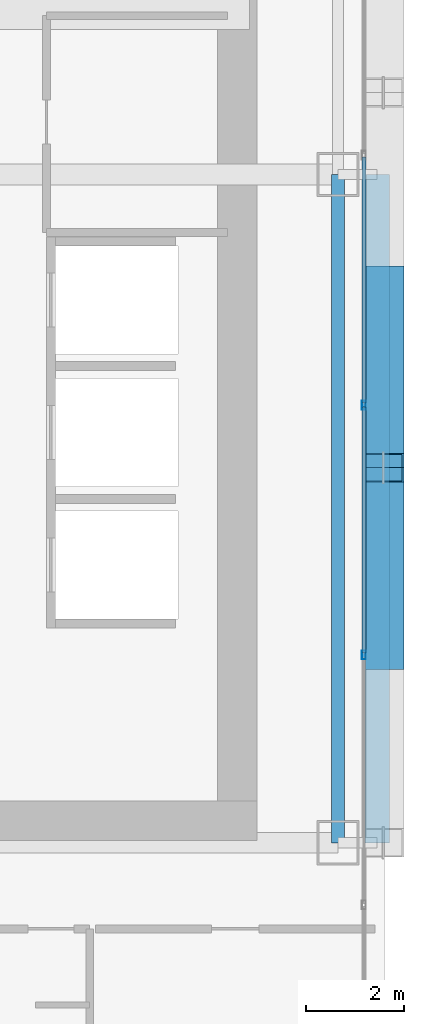
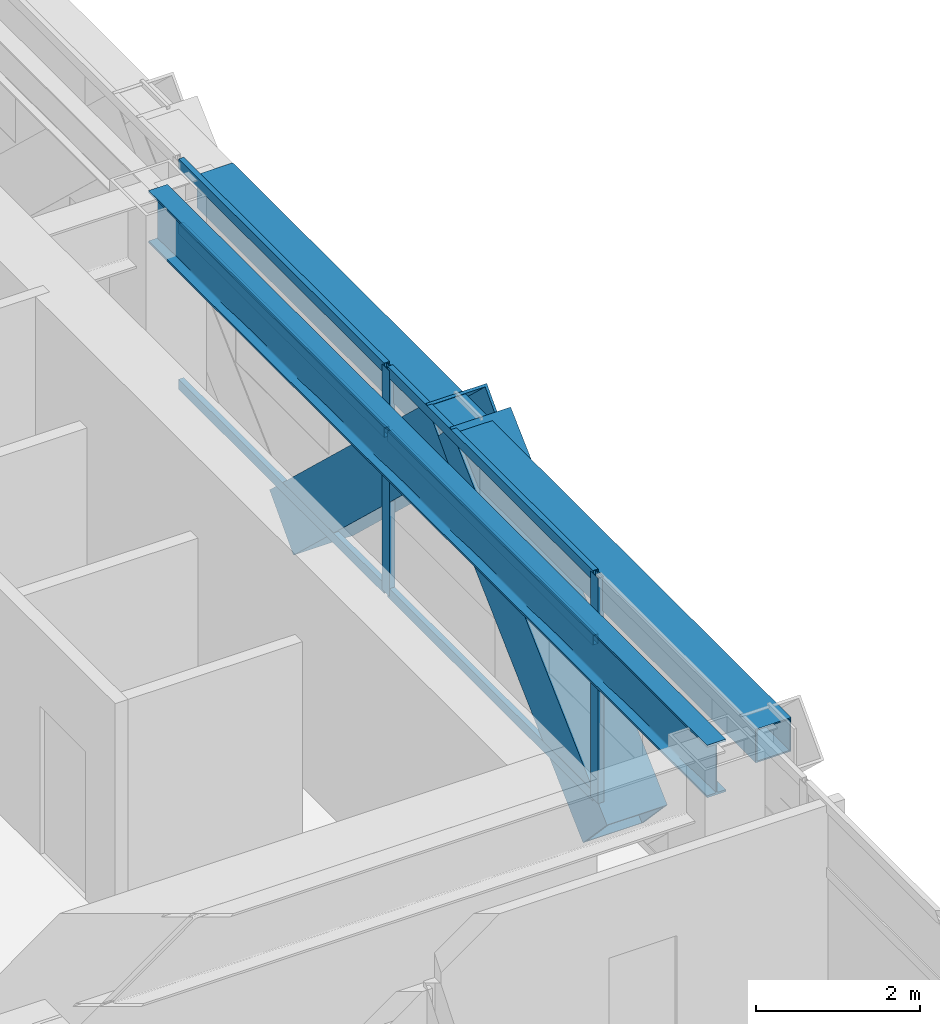
# One storey, part 13 of 38: 10 members, 2 beams, 1 element without a shape of its own.
"""IFC4 building model written with IfcOpenShell, lengths in metres."""

from ifc_helpers import new_model, si_unit, direction, frame, origin, origin_2d, place, context, subcontext, project, spatial, hollow_rectangle, i_section, extrude, source, transform, mapped, material, layer, layer_set, material_profile, profile_set, type_object, element, aggregate, save


model = new_model("IFC4")

# Units and contexts
model_context = context("Model", 3, precision=1e-05, world=origin(), true_north=direction((0.0, 1.0)))
body_context = subcontext(model_context, "Body", "Model", "MODEL_VIEW")
ifc_project = project(units=[si_unit("LENGTHUNIT", "METRE"), si_unit("AREAUNIT", "SQUARE_METRE"), si_unit("VOLUMEUNIT", "CUBIC_METRE"), si_unit("PLANEANGLEUNIT", "RADIAN"), si_unit("MASSUNIT", "GRAM", prefix="KILO")], contexts=[model_context])

# Site, building, storey
site_placement = place(None, origin())
site = spatial("IfcSite", under=ifc_project, at=site_placement, CompositionType="ELEMENT")
building_placement = place(site_placement, origin())
building = spatial("IfcBuilding", under=site, at=building_placement, Name="Ocotamira Hotel", CompositionType="ELEMENT")
storey_placement = place(building_placement, frame((0.0, 0.0, 60.0)))
storey = spatial("IfcBuildingStorey", under=building, at=storey_placement, Name="L14", CompositionType="ELEMENT", Elevation=60.0)

# Beams
ifc_material_1 = material(Name="Steel ASTM A992 Grade 50", Category="steel")
ifc_material_profile_1 = material_profile(ifc_material_1, i_section(OverallWidth=0.26611328125, OverallDepth=0.779052734375, WebThickness=0.0166015625, FlangeThickness=0.030029296875, FilletRadius=0.01806640625, at=origin_2d()), Name="W30X148")
ifc_profile_set_1 = profile_set([ifc_material_profile_1], Name="Steel ASTM A992 Grade 50")
beam_type_1 = type_object("IfcBeamType", Name="BM-GIRD-W30X148", PredefinedType="BEAM", material=ifc_profile_set_1)
shared_shape_1 = source(origin(), body_context, "Body", "SweptSolid", [
    extrude(i_section(OverallWidth=0.26611328125, OverallDepth=0.779052734375, WebThickness=0.0166015625, FlangeThickness=0.030029296875, FilletRadius=0.01806640625, at=origin_2d()), origin(), (0.0, 0.0, 1.0), 13.599853515625),
])
beam_1_placement = place(storey_placement, frame((55.050048828125, 14.550048828125, 2.96044921875), z_axis=(0.0, 1.0, 0.0), x_axis=(-1.0, 0.0, 0.0)))
element("IfcBeam", 1, at=beam_1_placement, inside=storey, type_object=beam_type_1, Name="L14 Beam X55.05 Y14.55-28.15", PredefinedType="BEAM", context=body_context, shape_type="MappedRepresentation", body=[
    mapped(shared_shape_1, transform((0.0, 0.0, 0.0), scale=1.0)),
])
ifc_material_2 = material(Name="Steel ASTM A500 Grade C", Category="steel")
ifc_material_profile_2 = material_profile(ifc_material_2, hollow_rectangle(XDim=0.5, YDim=0.5, WallThickness=0.02001953125, at=origin_2d()), Name="HSS500X500X20")
ifc_profile_set_2 = profile_set([ifc_material_profile_2], Name="Steel ASTM A500 Grade C")
beam_type_2 = type_object("IfcBeamType", Name="BM-SPAN-HSS500", PredefinedType="USERDEFINED", material=ifc_profile_set_2)
shared_shape_2 = source(origin(), body_context, "Body", "SweptSolid", [
    extrude(hollow_rectangle(XDim=0.5, YDim=0.5, WallThickness=0.02001953125, at=origin_2d()), origin(), (0.0, 0.0, 1.0), 13.599853515625),
])
beam_2_placement = place(storey_placement, frame((55.85009765625, 14.550048828125, 3.10009765625), z_axis=(0.0, 1.0, 0.0), x_axis=(-1.0, 0.0, 0.0)))
element("IfcBeam", 2, at=beam_2_placement, inside=storey, type_object=beam_type_2, Name="L14 Edge Spandrel E Y14.55-28.15", ObjectType="SPANDREL", PredefinedType="USERDEFINED", context=body_context, shape_type="MappedRepresentation", body=[
    mapped(shared_shape_2, transform((0.0, 0.0, 0.0), scale=1.0)),
])

# Members
ifc_material_3 = material(Name="Pale-metal coated steel ASTM A913 Grade 65", Category="steel")
ifc_material_profile_3 = material_profile(ifc_material_3, hollow_rectangle(XDim=0.85009765625, YDim=0.85009765625, WallThickness=0.035888671875, at=origin_2d()), Name="BOX850X850X36")
ifc_profile_set_3 = profile_set([ifc_material_profile_3], Name="Pale-metal coated steel ASTM A913 Grade 65")
member_type_1 = type_object("IfcMemberType", Name="MEM-EXO-BOX850", PredefinedType="BRACE", material=ifc_profile_set_3)
shared_shape_3 = source(origin(), body_context, "Body", "SweptSolid", [
    extrude(hollow_rectangle(XDim=0.85009765625, YDim=0.85009765625, WallThickness=0.035888671875, at=origin_2d()), origin(), (0.0, 0.0, 1.0), 5.24658203125),
])
for number, where, z_axis, x_axis, name in (
    (3, (55.969970703125, 18.36669921875, -0.5), (0.0, 0.727442733726, 0.686168397078), (-1.0, 0.0, 0.0), "L14 Exoskeleton Diagrid E0.2"),
    (4, (55.969970703125, 26.0, -0.5), (0.0, -0.727442733726, 0.686168397078), (1.0, 0.0, 0.0), "L14 Exoskeleton Diagrid E1.1"),
):
    element("IfcMember", number, at=place(storey_placement, frame(where, z_axis=z_axis, x_axis=x_axis)), inside=storey, type_object=member_type_1, Name=name, PredefinedType="BRACE", context=body_context, shape_type="MappedRepresentation", body=[
        mapped(shared_shape_3, transform((0.0, 0.0, 0.0), scale=1.0)),
    ])

# Curtain wall, members
ifc_material_4 = material(Name="Anodised pale-metal aluminium and solar glass", Category="aluminium")
ifc_layer = layer(ifc_material_4, 0.179931640625)
ifc_layer_set = layer_set([ifc_layer], Name="Anodised pale-metal aluminium and solar glass")
curtain_wall_type = type_object("IfcCurtainWallType", Name="CW-SYS2-Z1", PredefinedType="NOTDEFINED", material=ifc_layer_set)
curtain_wall_placement = place(storey_placement, origin())
curtain_wall = element("IfcCurtainWall", 5, at=curtain_wall_placement, inside=storey, type_object=curtain_wall_type, Name="L14 Curtain Wall CW-2 CW-L14-E", PredefinedType="NOTDEFINED")
ifc_material_5 = material(Name="Anodised pale-metal aluminium 6063-T6", Category="aluminium")
ifc_material_profile_4 = material_profile(ifc_material_5, hollow_rectangle(XDim=0.074951171875, YDim=0.14990234375, WallThickness=0.006103515625, at=origin_2d()), Name="HSS150X75X6")
ifc_profile_set_4 = profile_set([ifc_material_profile_4], Name="Anodised pale-metal aluminium 6063-T6")
member_type_2 = type_object("IfcMemberType", Name="CWT-150X75", PredefinedType="USERDEFINED", material=ifc_profile_set_4)
shared_shape_4 = source(origin(), body_context, "Body", "SweptSolid", [
    extrude(hollow_rectangle(XDim=0.074951171875, YDim=0.14990234375, WallThickness=0.006103515625, at=origin_2d()), origin(), (0.0, 0.0, 1.0), 5.005859375),
])
member_1_placement = place(storey_placement, frame((55.580078125, 18.411376953125, 0.03759765625), z_axis=(0.0, 1.0, 0.0), x_axis=(-1.0, 0.0, 0.0)))
member_1 = element("IfcMember", 6, at=member_1_placement, type_object=member_type_2, Name="CW-2 transom 3.1", ObjectType="TRANSOM", PredefinedType="USERDEFINED", context=body_context, shape_type="MappedRepresentation", body=[
    mapped(shared_shape_4, transform((0.0, 0.0, 0.0), scale=1.0)),
])
member_2_placement = place(storey_placement, frame((55.580078125, 18.411376953125, 2.35009765625), z_axis=(0.0, 1.0, 0.0), x_axis=(-1.0, 0.0, 0.0)))
member_2 = element("IfcMember", 7, at=member_2_placement, type_object=member_type_2, Name="CW-2 transom 3.2", ObjectType="TRANSOM", PredefinedType="USERDEFINED", context=body_context, shape_type="MappedRepresentation", body=[
    mapped(shared_shape_4, transform((0.0, 0.0, 0.0), scale=1.0)),
])
member_3_placement = place(storey_placement, frame((55.580078125, 18.411376953125, 3.3125), z_axis=(0.0, 1.0, 0.0), x_axis=(-1.0, 0.0, 0.0)))
member_3 = element("IfcMember", 8, at=member_3_placement, type_object=member_type_2, Name="CW-2 transom 3.3", ObjectType="TRANSOM", PredefinedType="USERDEFINED", context=body_context, shape_type="MappedRepresentation", body=[
    mapped(shared_shape_4, transform((0.0, 0.0, 0.0), scale=1.0)),
])
member_4_placement = place(storey_placement, frame((55.580078125, 23.4970703125, 0.03759765625), z_axis=(0.0, 1.0, 0.0), x_axis=(-1.0, 0.0, 0.0)))
member_4 = element("IfcMember", 9, at=member_4_placement, type_object=member_type_2, Name="CW-2 transom 4.1", ObjectType="TRANSOM", PredefinedType="USERDEFINED", context=body_context, shape_type="MappedRepresentation", body=[
    mapped(shared_shape_4, transform((0.0, 0.0, 0.0), scale=1.0)),
])
member_5_placement = place(storey_placement, frame((55.580078125, 23.4970703125, 2.35009765625), z_axis=(0.0, 1.0, 0.0), x_axis=(-1.0, 0.0, 0.0)))
member_5 = element("IfcMember", 10, at=member_5_placement, type_object=member_type_2, Name="CW-2 transom 4.2", ObjectType="TRANSOM", PredefinedType="USERDEFINED", context=body_context, shape_type="MappedRepresentation", body=[
    mapped(shared_shape_4, transform((0.0, 0.0, 0.0), scale=1.0)),
])
member_6_placement = place(storey_placement, frame((55.580078125, 23.4970703125, 3.3125), z_axis=(0.0, 1.0, 0.0), x_axis=(-1.0, 0.0, 0.0)))
member_6 = element("IfcMember", 11, at=member_6_placement, type_object=member_type_2, Name="CW-2 transom 4.3", ObjectType="TRANSOM", PredefinedType="USERDEFINED", context=body_context, shape_type="MappedRepresentation", body=[
    mapped(shared_shape_4, transform((0.0, 0.0, 0.0), scale=1.0)),
])
ifc_material_profile_5 = material_profile(ifc_material_5, hollow_rectangle(XDim=0.080078125, YDim=0.179931640625, WallThickness=0.006103515625, at=origin_2d()), Name="HSS180X80X6")
ifc_profile_set_5 = profile_set([ifc_material_profile_5], Name="Anodised pale-metal aluminium 6063-T6")
member_type_3 = type_object("IfcMemberType", Name="CWM-180X75", PredefinedType="MULLION", material=ifc_profile_set_5)
shared_shape_5 = source(origin(), body_context, "Body", "SweptSolid", [
    extrude(hollow_rectangle(XDim=0.080078125, YDim=0.179931640625, WallThickness=0.006103515625, at=origin_2d()), origin(), (0.0, 0.0, 1.0), 3.35009765625),
])
member_7_placement = place(storey_placement, frame((55.580078125, 18.371337890625, 0.0), z_axis=(0.0, 0.0, 1.0), x_axis=(-1.0, 0.0, 0.0)))
member_7 = element("IfcMember", 12, at=member_7_placement, type_object=member_type_3, Name="CW-2 mullion 3", PredefinedType="MULLION", context=body_context, shape_type="MappedRepresentation", body=[
    mapped(shared_shape_5, transform((0.0, 0.0, 0.0), scale=1.0)),
])
member_8_placement = place(storey_placement, frame((55.580078125, 23.45703125, 0.0), z_axis=(0.0, 0.0, 1.0), x_axis=(-1.0, 0.0, 0.0)))
member_8 = element("IfcMember", 13, at=member_8_placement, type_object=member_type_3, Name="CW-2 mullion 4", PredefinedType="MULLION", context=body_context, shape_type="MappedRepresentation", body=[
    mapped(shared_shape_5, transform((0.0, 0.0, 0.0), scale=1.0)),
])
aggregate(curtain_wall, [member_7, member_8, member_1, member_2, member_3, member_4, member_5, member_6])

save(model, "model.ifc")
